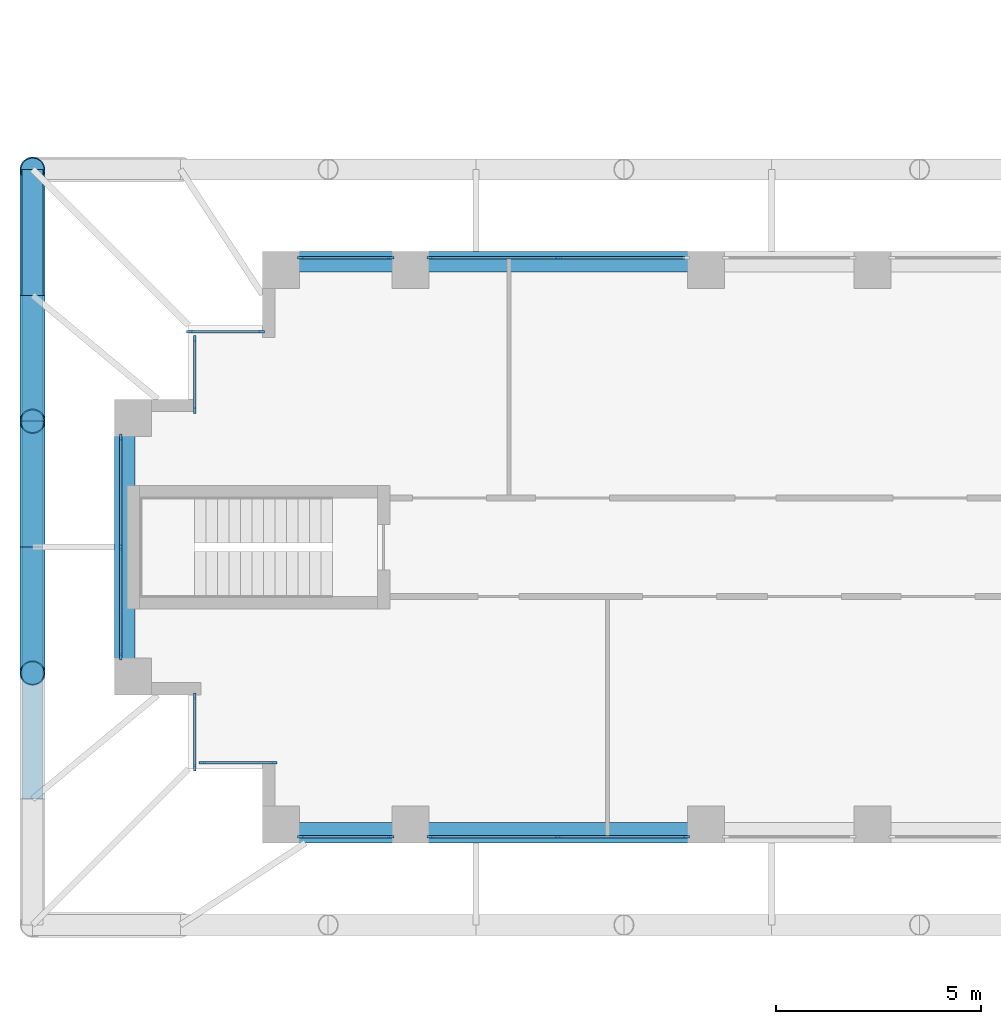
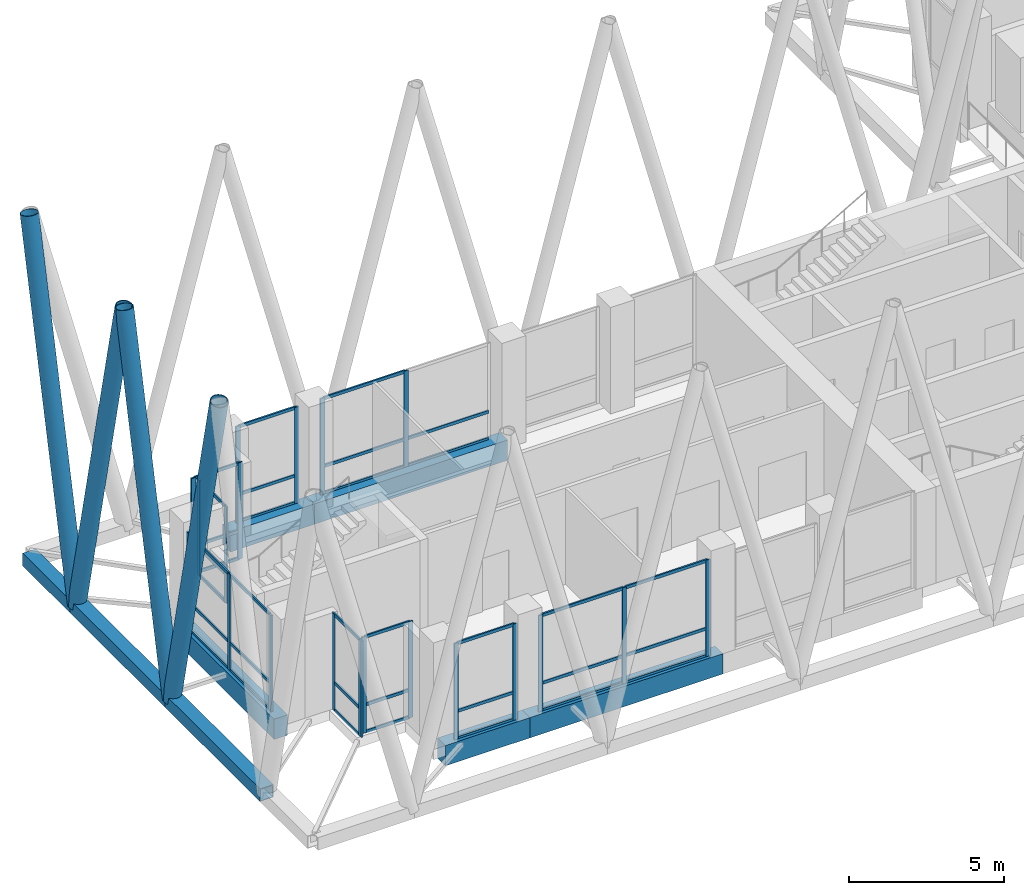
# One storey, part 2 of 19: 62 members, 5 beams, 9 elements without a shape of their own.
"""IFC4 building model written with IfcOpenShell, lengths in metres."""

from ifc_helpers import new_model, si_unit, direction, frame, origin, origin_2d, place, context, subcontext, project, spatial, rectangle, hollow_rectangle, hollow_circle, extrude, material, material_profile, profile_set, type_object, element, aggregate, save


model = new_model("IFC4")

# Units and contexts
model_context = context("Model", 3, precision=1e-05, world=origin(), true_north=direction((0.0, 1.0)))
body_context = subcontext(model_context, "Body", "Model", "MODEL_VIEW")
ifc_project = project(units=[si_unit("LENGTHUNIT", "METRE"), si_unit("AREAUNIT", "SQUARE_METRE"), si_unit("VOLUMEUNIT", "CUBIC_METRE"), si_unit("PLANEANGLEUNIT", "RADIAN"), si_unit("MASSUNIT", "GRAM", prefix="KILO")], contexts=[model_context])

# Site, building, storey
site_placement = place(None, origin())
site = spatial("IfcSite", under=ifc_project, at=site_placement, CompositionType="ELEMENT")
building_placement = place(site_placement, origin())
building = spatial("IfcBuilding", under=site, at=building_placement, Name="Fustian Cross Tower", CompositionType="ELEMENT")
storey_placement = place(building_placement, frame((0.0, 0.0, 166.5)))
storey = spatial("IfcBuildingStorey", under=building, at=storey_placement, Name="L52", CompositionType="ELEMENT", Elevation=166.5)

# Curtain wall, members
ifc_material_1 = material(Name="Dark anodised aluminium and double glazing", Category="aluminium")
curtain_wall_type = type_object("IfcCurtainWallType", Name="CW1 LOUNGE CURTAIN WALL", PredefinedType="NOTDEFINED", material=ifc_material_1)
curtain_wall_1_placement = place(storey_placement, origin())
curtain_wall_1 = element("IfcCurtainWall", 1, at=curtain_wall_1_placement, inside=storey, type_object=curtain_wall_type, Name="Curtain wall", PredefinedType="NOTDEFINED")
ifc_material_2 = material(Name="Aluminium alloy 6063", Category="aluminium")
ifc_material_profile_1 = material_profile(ifc_material_2, rectangle(XDim=0.06005859375, YDim=0.159912109375, at=origin_2d()), Name="CW1 MULLION 60X160")
ifc_profile_set_1 = profile_set([ifc_material_profile_1], Name="Aluminium alloy 6063")
member_type_1 = type_object("IfcMemberType", Name="CW1 MULLION 60X160", PredefinedType="MULLION", material=ifc_profile_set_1)
member_1_placement = place(storey_placement, frame((-32.39990234375, 7.050048828125, 0.0), z_axis=(0.0, 0.0, 1.0), x_axis=(0.0, -1.0, 0.0)))
member_1 = element("IfcMember", 2, at=member_1_placement, type_object=member_type_1, Name="CW1 mullion 2", PredefinedType="MULLION", context=body_context, shape_type="SweptSolid", body=[
    extrude(rectangle(XDim=0.06005859375, YDim=0.159912109375, at=origin_2d()), origin(), (0.0, 0.0, 1.0), 3.800048828125),
])
member_2_placement = place(storey_placement, frame((-35.52001953125, 7.050048828125, 0.0), z_axis=(0.0, 0.0, 1.0), x_axis=(0.0, -1.0, 0.0)))
member_2 = element("IfcMember", 3, at=member_2_placement, type_object=member_type_1, Name="CW1 mullion 3", PredefinedType="MULLION", context=body_context, shape_type="SweptSolid", body=[
    extrude(rectangle(XDim=0.06005859375, YDim=0.159912109375, at=origin_2d()), origin(), (0.0, 0.0, 1.0), 3.800048828125),
])

curtain_wall_2_placement = place(storey_placement, origin())
curtain_wall_2 = element("IfcCurtainWall", 4, at=curtain_wall_2_placement, inside=storey, type_object=curtain_wall_type, Name="Curtain wall", PredefinedType="NOTDEFINED")
member_3_placement = place(storey_placement, frame((-36.47998046875, 7.050048828125, 0.0), z_axis=(0.0, 0.0, 1.0), x_axis=(0.0, -1.0, 0.0)))
member_3 = element("IfcMember", 5, at=member_3_placement, type_object=member_type_1, Name="CW1 mullion 1", PredefinedType="MULLION", context=body_context, shape_type="SweptSolid", body=[
    extrude(rectangle(XDim=0.06005859375, YDim=0.159912109375, at=origin_2d()), origin(), (0.0, 0.0, 1.0), 3.800048828125),
])
member_4_placement = place(storey_placement, frame((-38.669921875, 7.050048828125, 0.0), z_axis=(0.0, 0.0, 1.0), x_axis=(0.0, -1.0, 0.0)))
member_4 = element("IfcMember", 6, at=member_4_placement, type_object=member_type_1, Name="CW1 mullion 2", PredefinedType="MULLION", context=body_context, shape_type="SweptSolid", body=[
    extrude(rectangle(XDim=0.06005859375, YDim=0.159912109375, at=origin_2d()), origin(), (0.0, 0.0, 1.0), 3.800048828125),
])

curtain_wall_3_placement = place(storey_placement, origin())
curtain_wall_3 = element("IfcCurtainWall", 7, at=curtain_wall_3_placement, inside=storey, type_object=curtain_wall_type, Name="Curtain wall", PredefinedType="NOTDEFINED")
member_5_placement = place(storey_placement, frame((-39.6298828125, 5.25, 0.0), z_axis=(0.0, 0.0, 1.0), x_axis=(0.0, -1.0, 0.0)))
member_5 = element("IfcMember", 8, at=member_5_placement, type_object=member_type_1, Name="CW1 mullion 1", PredefinedType="MULLION", context=body_context, shape_type="SweptSolid", body=[
    extrude(rectangle(XDim=0.06005859375, YDim=0.159912109375, at=origin_2d()), origin(), (0.0, 0.0, 1.0), 3.800048828125),
])
member_6_placement = place(storey_placement, frame((-41.3701171875, 5.25, 0.0), z_axis=(0.0, 0.0, 1.0), x_axis=(0.0, -1.0, 0.0)))
member_6 = element("IfcMember", 9, at=member_6_placement, type_object=member_type_1, Name="CW1 mullion 2", PredefinedType="MULLION", context=body_context, shape_type="SweptSolid", body=[
    extrude(rectangle(XDim=0.06005859375, YDim=0.159912109375, at=origin_2d()), origin(), (0.0, 0.0, 1.0), 3.800048828125),
])

curtain_wall_4_placement = place(storey_placement, origin())
curtain_wall_4 = element("IfcCurtainWall", 10, at=curtain_wall_4_placement, inside=storey, type_object=curtain_wall_type, Name="Curtain wall", PredefinedType="NOTDEFINED")
member_7_placement = place(storey_placement, frame((-41.25, 5.070068359375, 0.0), z_axis=(0.0, 0.0, 1.0), x_axis=(1.0, 0.0, 0.0)))
member_7 = element("IfcMember", 11, at=member_7_placement, type_object=member_type_1, Name="CW1 mullion 1", PredefinedType="MULLION", context=body_context, shape_type="SweptSolid", body=[
    extrude(rectangle(XDim=0.06005859375, YDim=0.159912109375, at=origin_2d()), origin(), (0.0, 0.0, 1.0), 3.800048828125),
])
member_8_placement = place(storey_placement, frame((-41.25, 3.330078125, 0.0), z_axis=(0.0, 0.0, 1.0), x_axis=(1.0, 0.0, 0.0)))
member_8 = element("IfcMember", 12, at=member_8_placement, type_object=member_type_1, Name="CW1 mullion 2", PredefinedType="MULLION", context=body_context, shape_type="SweptSolid", body=[
    extrude(rectangle(XDim=0.06005859375, YDim=0.159912109375, at=origin_2d()), origin(), (0.0, 0.0, 1.0), 3.800048828125),
])

curtain_wall_5_placement = place(storey_placement, origin())
curtain_wall_5 = element("IfcCurtainWall", 13, at=curtain_wall_5_placement, inside=storey, type_object=curtain_wall_type, Name="Curtain wall", PredefinedType="NOTDEFINED")
member_9_placement = place(storey_placement, frame((-43.050048828125, 2.669921875, 0.0), z_axis=(0.0, 0.0, 1.0), x_axis=(1.0, 0.0, 0.0)))
member_9 = element("IfcMember", 14, at=member_9_placement, type_object=member_type_1, Name="CW1 mullion 1", PredefinedType="MULLION", context=body_context, shape_type="SweptSolid", body=[
    extrude(rectangle(XDim=0.06005859375, YDim=0.159912109375, at=origin_2d()), origin(), (0.0, 0.0, 1.0), 3.800048828125),
])
member_10_placement = place(storey_placement, frame((-43.050048828125, 0.0, 0.0), z_axis=(0.0, 0.0, 1.0), x_axis=(1.0, 0.0, 0.0)))
member_10 = element("IfcMember", 15, at=member_10_placement, type_object=member_type_1, Name="CW1 mullion 2", PredefinedType="MULLION", context=body_context, shape_type="SweptSolid", body=[
    extrude(rectangle(XDim=0.06005859375, YDim=0.159912109375, at=origin_2d()), origin(), (0.0, 0.0, 1.0), 3.800048828125),
])
member_11_placement = place(storey_placement, frame((-43.050048828125, -2.669921875, 0.0), z_axis=(0.0, 0.0, 1.0), x_axis=(1.0, 0.0, 0.0)))
member_11 = element("IfcMember", 16, at=member_11_placement, type_object=member_type_1, Name="CW1 mullion 3", PredefinedType="MULLION", context=body_context, shape_type="SweptSolid", body=[
    extrude(rectangle(XDim=0.06005859375, YDim=0.159912109375, at=origin_2d()), origin(), (0.0, 0.0, 1.0), 3.800048828125),
])

curtain_wall_6_placement = place(storey_placement, origin())
curtain_wall_6 = element("IfcCurtainWall", 17, at=curtain_wall_6_placement, inside=storey, type_object=curtain_wall_type, Name="Curtain wall", PredefinedType="NOTDEFINED")
member_12_placement = place(storey_placement, frame((-41.25, -3.6298828125, 0.0), z_axis=(0.0, 0.0, 1.0), x_axis=(1.0, 0.0, 0.0)))
member_12 = element("IfcMember", 18, at=member_12_placement, type_object=member_type_1, Name="CW1 mullion 1", PredefinedType="MULLION", context=body_context, shape_type="SweptSolid", body=[
    extrude(rectangle(XDim=0.06005859375, YDim=0.159912109375, at=origin_2d()), origin(), (0.0, 0.0, 1.0), 3.800048828125),
])
member_13_placement = place(storey_placement, frame((-41.25, -5.3701171875, 0.0), z_axis=(0.0, 0.0, 1.0), x_axis=(1.0, 0.0, 0.0)))
member_13 = element("IfcMember", 19, at=member_13_placement, type_object=member_type_1, Name="CW1 mullion 2", PredefinedType="MULLION", context=body_context, shape_type="SweptSolid", body=[
    extrude(rectangle(XDim=0.06005859375, YDim=0.159912109375, at=origin_2d()), origin(), (0.0, 0.0, 1.0), 3.800048828125),
])

curtain_wall_7_placement = place(storey_placement, origin())
curtain_wall_7 = element("IfcCurtainWall", 20, at=curtain_wall_7_placement, inside=storey, type_object=curtain_wall_type, Name="Curtain wall", PredefinedType="NOTDEFINED")
member_14_placement = place(storey_placement, frame((-41.070068359375, -5.25, 0.0), z_axis=(0.0, 0.0, 1.0), x_axis=(0.0, 1.0, 0.0)))
member_14 = element("IfcMember", 21, at=member_14_placement, type_object=member_type_1, Name="CW1 mullion 1", PredefinedType="MULLION", context=body_context, shape_type="SweptSolid", body=[
    extrude(rectangle(XDim=0.06005859375, YDim=0.159912109375, at=origin_2d()), origin(), (0.0, 0.0, 1.0), 3.800048828125),
])
member_15_placement = place(storey_placement, frame((-39.330078125, -5.25, 0.0), z_axis=(0.0, 0.0, 1.0), x_axis=(0.0, 1.0, 0.0)))
member_15 = element("IfcMember", 22, at=member_15_placement, type_object=member_type_1, Name="CW1 mullion 2", PredefinedType="MULLION", context=body_context, shape_type="SweptSolid", body=[
    extrude(rectangle(XDim=0.06005859375, YDim=0.159912109375, at=origin_2d()), origin(), (0.0, 0.0, 1.0), 3.800048828125),
])

curtain_wall_8_placement = place(storey_placement, origin())
curtain_wall_8 = element("IfcCurtainWall", 23, at=curtain_wall_8_placement, inside=storey, type_object=curtain_wall_type, Name="Curtain wall", PredefinedType="NOTDEFINED")
member_16_placement = place(storey_placement, frame((-38.669921875, -7.050048828125, 0.0), z_axis=(0.0, 0.0, 1.0), x_axis=(0.0, 1.0, 0.0)))
member_16 = element("IfcMember", 24, at=member_16_placement, type_object=member_type_1, Name="CW1 mullion 1", PredefinedType="MULLION", context=body_context, shape_type="SweptSolid", body=[
    extrude(rectangle(XDim=0.06005859375, YDim=0.159912109375, at=origin_2d()), origin(), (0.0, 0.0, 1.0), 3.800048828125),
])
member_17_placement = place(storey_placement, frame((-36.47998046875, -7.050048828125, 0.0), z_axis=(0.0, 0.0, 1.0), x_axis=(0.0, 1.0, 0.0)))
member_17 = element("IfcMember", 25, at=member_17_placement, type_object=member_type_1, Name="CW1 mullion 2", PredefinedType="MULLION", context=body_context, shape_type="SweptSolid", body=[
    extrude(rectangle(XDim=0.06005859375, YDim=0.159912109375, at=origin_2d()), origin(), (0.0, 0.0, 1.0), 3.800048828125),
])

curtain_wall_9_placement = place(storey_placement, origin())
curtain_wall_9 = element("IfcCurtainWall", 26, at=curtain_wall_9_placement, inside=storey, type_object=curtain_wall_type, Name="Curtain wall", PredefinedType="NOTDEFINED")
member_18_placement = place(storey_placement, frame((-35.52001953125, -7.050048828125, 0.0), z_axis=(0.0, 0.0, 1.0), x_axis=(0.0, 1.0, 0.0)))
member_18 = element("IfcMember", 27, at=member_18_placement, type_object=member_type_1, Name="CW1 mullion 1", PredefinedType="MULLION", context=body_context, shape_type="SweptSolid", body=[
    extrude(rectangle(XDim=0.06005859375, YDim=0.159912109375, at=origin_2d()), origin(), (0.0, 0.0, 1.0), 3.800048828125),
])
member_19_placement = place(storey_placement, frame((-32.39990234375, -7.050048828125, 0.0), z_axis=(0.0, 0.0, 1.0), x_axis=(0.0, 1.0, 0.0)))
member_19 = element("IfcMember", 28, at=member_19_placement, type_object=member_type_1, Name="CW1 mullion 2", PredefinedType="MULLION", context=body_context, shape_type="SweptSolid", body=[
    extrude(rectangle(XDim=0.06005859375, YDim=0.159912109375, at=origin_2d()), origin(), (0.0, 0.0, 1.0), 3.800048828125),
])
member_20_placement = place(storey_placement, frame((-29.280029296875, -7.050048828125, 0.0), z_axis=(0.0, 0.0, 1.0), x_axis=(0.0, 1.0, 0.0)))
member_20 = element("IfcMember", 29, at=member_20_placement, type_object=member_type_1, Name="CW1 mullion 3", PredefinedType="MULLION", context=body_context, shape_type="SweptSolid", body=[
    extrude(rectangle(XDim=0.06005859375, YDim=0.159912109375, at=origin_2d()), origin(), (0.0, 0.0, 1.0), 3.800048828125),
])

# Member
ifc_material_3 = material(Name="Aluminium alloy 6063", Category="aluminium")
ifc_material_profile_2 = material_profile(ifc_material_3, rectangle(XDim=0.06005859375, YDim=0.1201171875, at=origin_2d()), Name="CW1 TRANSOM 60X120")
ifc_profile_set_2 = profile_set([ifc_material_profile_2], Name="Aluminium alloy 6063")
member_type_2 = type_object("IfcMemberType", Name="CW1 TRANSOM 60X120", PredefinedType="USERDEFINED", material=ifc_profile_set_2)
member_21_placement = place(storey_placement, frame((-29.31005859375, 7.050048828125, 0.030029296875), z_axis=(-1.0, 0.0, 0.0), x_axis=(0.0, -1.0, 0.0)))
member_21 = element("IfcMember", 30, at=member_21_placement, type_object=member_type_2, Name="CW1 transom 1.1", ObjectType="TRANSOM", PredefinedType="USERDEFINED", context=body_context, shape_type="SweptSolid", body=[
    extrude(rectangle(XDim=0.06005859375, YDim=0.1201171875, at=origin_2d()), origin(), (0.0, 0.0, 1.0), 3.06005859375),
])

member_22_placement = place(storey_placement, frame((-29.31005859375, 7.050048828125, 1.10009765625), z_axis=(-1.0, 0.0, 0.0), x_axis=(0.0, -1.0, 0.0)))
member_22 = element("IfcMember", 31, at=member_22_placement, type_object=member_type_2, Name="CW1 transom 1.2", ObjectType="TRANSOM", PredefinedType="USERDEFINED", context=body_context, shape_type="SweptSolid", body=[
    extrude(rectangle(XDim=0.06005859375, YDim=0.1201171875, at=origin_2d()), origin(), (0.0, 0.0, 1.0), 3.06005859375),
])

member_23_placement = place(storey_placement, frame((-32.429931640625, 7.050048828125, 0.030029296875), z_axis=(-1.0, 0.0, 0.0), x_axis=(0.0, -1.0, 0.0)))
member_23 = element("IfcMember", 32, at=member_23_placement, type_object=member_type_2, Name="CW1 transom 2.1", ObjectType="TRANSOM", PredefinedType="USERDEFINED", context=body_context, shape_type="SweptSolid", body=[
    extrude(rectangle(XDim=0.06005859375, YDim=0.1201171875, at=origin_2d()), origin(), (0.0, 0.0, 1.0), 3.06005859375),
])

member_24_placement = place(storey_placement, frame((-32.429931640625, 7.050048828125, 1.10009765625), z_axis=(-1.0, 0.0, 0.0), x_axis=(0.0, -1.0, 0.0)))
member_24 = element("IfcMember", 33, at=member_24_placement, type_object=member_type_2, Name="CW1 transom 2.2", ObjectType="TRANSOM", PredefinedType="USERDEFINED", context=body_context, shape_type="SweptSolid", body=[
    extrude(rectangle(XDim=0.06005859375, YDim=0.1201171875, at=origin_2d()), origin(), (0.0, 0.0, 1.0), 3.06005859375),
])

member_25_placement = place(storey_placement, frame((-32.429931640625, 7.050048828125, 3.77001953125), z_axis=(-1.0, 0.0, 0.0), x_axis=(0.0, -1.0, 0.0)))
member_25 = element("IfcMember", 34, at=member_25_placement, type_object=member_type_2, Name="CW1 transom 2.3", ObjectType="TRANSOM", PredefinedType="USERDEFINED", context=body_context, shape_type="SweptSolid", body=[
    extrude(rectangle(XDim=0.06005859375, YDim=0.1201171875, at=origin_2d()), origin(), (0.0, 0.0, 1.0), 3.06005859375),
])

aggregate(curtain_wall_1, [member_1, member_2, member_21, member_22, member_23, member_24, member_25])

member_26_placement = place(storey_placement, frame((-36.510009765625, 7.050048828125, 0.030029296875), z_axis=(-1.0, 0.0, 0.0), x_axis=(0.0, -1.0, 0.0)))
member_26 = element("IfcMember", 35, at=member_26_placement, type_object=member_type_2, Name="CW1 transom 1.1", ObjectType="TRANSOM", PredefinedType="USERDEFINED", context=body_context, shape_type="SweptSolid", body=[
    extrude(rectangle(XDim=0.06005859375, YDim=0.1201171875, at=origin_2d()), origin(), (0.0, 0.0, 1.0), 2.1298828125),
])

member_27_placement = place(storey_placement, frame((-36.510009765625, 7.050048828125, 1.10009765625), z_axis=(-1.0, 0.0, 0.0), x_axis=(0.0, -1.0, 0.0)))
member_27 = element("IfcMember", 36, at=member_27_placement, type_object=member_type_2, Name="CW1 transom 1.2", ObjectType="TRANSOM", PredefinedType="USERDEFINED", context=body_context, shape_type="SweptSolid", body=[
    extrude(rectangle(XDim=0.06005859375, YDim=0.1201171875, at=origin_2d()), origin(), (0.0, 0.0, 1.0), 2.1298828125),
])

member_28_placement = place(storey_placement, frame((-36.510009765625, 7.050048828125, 3.77001953125), z_axis=(-1.0, 0.0, 0.0), x_axis=(0.0, -1.0, 0.0)))
member_28 = element("IfcMember", 37, at=member_28_placement, type_object=member_type_2, Name="CW1 transom 1.3", ObjectType="TRANSOM", PredefinedType="USERDEFINED", context=body_context, shape_type="SweptSolid", body=[
    extrude(rectangle(XDim=0.06005859375, YDim=0.1201171875, at=origin_2d()), origin(), (0.0, 0.0, 1.0), 2.1298828125),
])

aggregate(curtain_wall_2, [member_3, member_4, member_26, member_27, member_28])

member_29_placement = place(storey_placement, frame((-39.659912109375, 5.25, 0.030029296875), z_axis=(-1.0, 0.0, 0.0), x_axis=(0.0, -1.0, 0.0)))
member_29 = element("IfcMember", 38, at=member_29_placement, type_object=member_type_2, Name="CW1 transom 1.1", ObjectType="TRANSOM", PredefinedType="USERDEFINED", context=body_context, shape_type="SweptSolid", body=[
    extrude(rectangle(XDim=0.06005859375, YDim=0.1201171875, at=origin_2d()), origin(), (0.0, 0.0, 1.0), 1.68017578125),
])

member_30_placement = place(storey_placement, frame((-39.659912109375, 5.25, 1.10009765625), z_axis=(-1.0, 0.0, 0.0), x_axis=(0.0, -1.0, 0.0)))
member_30 = element("IfcMember", 39, at=member_30_placement, type_object=member_type_2, Name="CW1 transom 1.2", ObjectType="TRANSOM", PredefinedType="USERDEFINED", context=body_context, shape_type="SweptSolid", body=[
    extrude(rectangle(XDim=0.06005859375, YDim=0.1201171875, at=origin_2d()), origin(), (0.0, 0.0, 1.0), 1.68017578125),
])

member_31_placement = place(storey_placement, frame((-39.659912109375, 5.25, 3.77001953125), z_axis=(-1.0, 0.0, 0.0), x_axis=(0.0, -1.0, 0.0)))
member_31 = element("IfcMember", 40, at=member_31_placement, type_object=member_type_2, Name="CW1 transom 1.3", ObjectType="TRANSOM", PredefinedType="USERDEFINED", context=body_context, shape_type="SweptSolid", body=[
    extrude(rectangle(XDim=0.06005859375, YDim=0.1201171875, at=origin_2d()), origin(), (0.0, 0.0, 1.0), 1.68017578125),
])

aggregate(curtain_wall_3, [member_5, member_6, member_29, member_30, member_31])

member_32_placement = place(storey_placement, frame((-41.25, 5.0400390625, 0.030029296875), z_axis=(0.0, -1.0, 0.0), x_axis=(1.0, 0.0, 0.0)))
member_32 = element("IfcMember", 41, at=member_32_placement, type_object=member_type_2, Name="CW1 transom 1.1", ObjectType="TRANSOM", PredefinedType="USERDEFINED", context=body_context, shape_type="SweptSolid", body=[
    extrude(rectangle(XDim=0.06005859375, YDim=0.1201171875, at=origin_2d()), origin(), (0.0, 0.0, 1.0), 1.679931640625),
])

member_33_placement = place(storey_placement, frame((-41.25, 5.0400390625, 1.10009765625), z_axis=(0.0, -1.0, 0.0), x_axis=(1.0, 0.0, 0.0)))
member_33 = element("IfcMember", 42, at=member_33_placement, type_object=member_type_2, Name="CW1 transom 1.2", ObjectType="TRANSOM", PredefinedType="USERDEFINED", context=body_context, shape_type="SweptSolid", body=[
    extrude(rectangle(XDim=0.06005859375, YDim=0.1201171875, at=origin_2d()), origin(), (0.0, 0.0, 1.0), 1.679931640625),
])

member_34_placement = place(storey_placement, frame((-41.25, 5.0400390625, 3.77001953125), z_axis=(0.0, -1.0, 0.0), x_axis=(1.0, 0.0, 0.0)))
member_34 = element("IfcMember", 43, at=member_34_placement, type_object=member_type_2, Name="CW1 transom 1.3", ObjectType="TRANSOM", PredefinedType="USERDEFINED", context=body_context, shape_type="SweptSolid", body=[
    extrude(rectangle(XDim=0.06005859375, YDim=0.1201171875, at=origin_2d()), origin(), (0.0, 0.0, 1.0), 1.679931640625),
])

aggregate(curtain_wall_4, [member_7, member_8, member_32, member_33, member_34])

member_35_placement = place(storey_placement, frame((-43.050048828125, 2.639892578125, 0.030029296875), z_axis=(0.0, -1.0, 0.0), x_axis=(1.0, 0.0, 0.0)))
member_35 = element("IfcMember", 44, at=member_35_placement, type_object=member_type_2, Name="CW1 transom 1.1", ObjectType="TRANSOM", PredefinedType="USERDEFINED", context=body_context, shape_type="SweptSolid", body=[
    extrude(rectangle(XDim=0.06005859375, YDim=0.1201171875, at=origin_2d()), origin(), (0.0, 0.0, 1.0), 2.60986328125),
])

member_36_placement = place(storey_placement, frame((-43.050048828125, 2.639892578125, 1.10009765625), z_axis=(0.0, -1.0, 0.0), x_axis=(1.0, 0.0, 0.0)))
member_36 = element("IfcMember", 45, at=member_36_placement, type_object=member_type_2, Name="CW1 transom 1.2", ObjectType="TRANSOM", PredefinedType="USERDEFINED", context=body_context, shape_type="SweptSolid", body=[
    extrude(rectangle(XDim=0.06005859375, YDim=0.1201171875, at=origin_2d()), origin(), (0.0, 0.0, 1.0), 2.60986328125),
])

member_37_placement = place(storey_placement, frame((-43.050048828125, 2.639892578125, 3.77001953125), z_axis=(0.0, -1.0, 0.0), x_axis=(1.0, 0.0, 0.0)))
member_37 = element("IfcMember", 46, at=member_37_placement, type_object=member_type_2, Name="CW1 transom 1.3", ObjectType="TRANSOM", PredefinedType="USERDEFINED", context=body_context, shape_type="SweptSolid", body=[
    extrude(rectangle(XDim=0.06005859375, YDim=0.1201171875, at=origin_2d()), origin(), (0.0, 0.0, 1.0), 2.60986328125),
])

member_38_placement = place(storey_placement, frame((-43.050048828125, -0.030029296875, 0.030029296875), z_axis=(0.0, -1.0, 0.0), x_axis=(1.0, 0.0, 0.0)))
member_38 = element("IfcMember", 47, at=member_38_placement, type_object=member_type_2, Name="CW1 transom 2.1", ObjectType="TRANSOM", PredefinedType="USERDEFINED", context=body_context, shape_type="SweptSolid", body=[
    extrude(rectangle(XDim=0.06005859375, YDim=0.1201171875, at=origin_2d()), origin(), (0.0, 0.0, 1.0), 2.60986328125),
])

member_39_placement = place(storey_placement, frame((-43.050048828125, -0.030029296875, 1.10009765625), z_axis=(0.0, -1.0, 0.0), x_axis=(1.0, 0.0, 0.0)))
member_39 = element("IfcMember", 48, at=member_39_placement, type_object=member_type_2, Name="CW1 transom 2.2", ObjectType="TRANSOM", PredefinedType="USERDEFINED", context=body_context, shape_type="SweptSolid", body=[
    extrude(rectangle(XDim=0.06005859375, YDim=0.1201171875, at=origin_2d()), origin(), (0.0, 0.0, 1.0), 2.60986328125),
])

member_40_placement = place(storey_placement, frame((-43.050048828125, -0.030029296875, 3.77001953125), z_axis=(0.0, -1.0, 0.0), x_axis=(1.0, 0.0, 0.0)))
member_40 = element("IfcMember", 49, at=member_40_placement, type_object=member_type_2, Name="CW1 transom 2.3", ObjectType="TRANSOM", PredefinedType="USERDEFINED", context=body_context, shape_type="SweptSolid", body=[
    extrude(rectangle(XDim=0.06005859375, YDim=0.1201171875, at=origin_2d()), origin(), (0.0, 0.0, 1.0), 2.60986328125),
])

aggregate(curtain_wall_5, [member_9, member_10, member_11, member_35, member_36, member_37, member_38, member_39, member_40])

member_41_placement = place(storey_placement, frame((-41.25, -3.659912109375, 0.030029296875), z_axis=(0.0, -1.0, 0.0), x_axis=(1.0, 0.0, 0.0)))
member_41 = element("IfcMember", 50, at=member_41_placement, type_object=member_type_2, Name="CW1 transom 1.1", ObjectType="TRANSOM", PredefinedType="USERDEFINED", context=body_context, shape_type="SweptSolid", body=[
    extrude(rectangle(XDim=0.06005859375, YDim=0.1201171875, at=origin_2d()), origin(), (0.0, 0.0, 1.0), 1.68017578125),
])

member_42_placement = place(storey_placement, frame((-41.25, -3.659912109375, 1.10009765625), z_axis=(0.0, -1.0, 0.0), x_axis=(1.0, 0.0, 0.0)))
member_42 = element("IfcMember", 51, at=member_42_placement, type_object=member_type_2, Name="CW1 transom 1.2", ObjectType="TRANSOM", PredefinedType="USERDEFINED", context=body_context, shape_type="SweptSolid", body=[
    extrude(rectangle(XDim=0.06005859375, YDim=0.1201171875, at=origin_2d()), origin(), (0.0, 0.0, 1.0), 1.68017578125),
])

member_43_placement = place(storey_placement, frame((-41.25, -3.659912109375, 3.77001953125), z_axis=(0.0, -1.0, 0.0), x_axis=(1.0, 0.0, 0.0)))
member_43 = element("IfcMember", 52, at=member_43_placement, type_object=member_type_2, Name="CW1 transom 1.3", ObjectType="TRANSOM", PredefinedType="USERDEFINED", context=body_context, shape_type="SweptSolid", body=[
    extrude(rectangle(XDim=0.06005859375, YDim=0.1201171875, at=origin_2d()), origin(), (0.0, 0.0, 1.0), 1.68017578125),
])

aggregate(curtain_wall_6, [member_12, member_13, member_41, member_42, member_43])

member_44_placement = place(storey_placement, frame((-41.0400390625, -5.25, 0.030029296875), z_axis=(1.0, 0.0, 0.0), x_axis=(0.0, 1.0, 0.0)))
member_44 = element("IfcMember", 53, at=member_44_placement, type_object=member_type_2, Name="CW1 transom 1.1", ObjectType="TRANSOM", PredefinedType="USERDEFINED", context=body_context, shape_type="SweptSolid", body=[
    extrude(rectangle(XDim=0.06005859375, YDim=0.1201171875, at=origin_2d()), origin(), (0.0, 0.0, 1.0), 1.679931640625),
])

member_45_placement = place(storey_placement, frame((-41.0400390625, -5.25, 1.10009765625), z_axis=(1.0, 0.0, 0.0), x_axis=(0.0, 1.0, 0.0)))
member_45 = element("IfcMember", 54, at=member_45_placement, type_object=member_type_2, Name="CW1 transom 1.2", ObjectType="TRANSOM", PredefinedType="USERDEFINED", context=body_context, shape_type="SweptSolid", body=[
    extrude(rectangle(XDim=0.06005859375, YDim=0.1201171875, at=origin_2d()), origin(), (0.0, 0.0, 1.0), 1.679931640625),
])

member_46_placement = place(storey_placement, frame((-41.0400390625, -5.25, 3.77001953125), z_axis=(1.0, 0.0, 0.0), x_axis=(0.0, 1.0, 0.0)))
member_46 = element("IfcMember", 55, at=member_46_placement, type_object=member_type_2, Name="CW1 transom 1.3", ObjectType="TRANSOM", PredefinedType="USERDEFINED", context=body_context, shape_type="SweptSolid", body=[
    extrude(rectangle(XDim=0.06005859375, YDim=0.1201171875, at=origin_2d()), origin(), (0.0, 0.0, 1.0), 1.679931640625),
])

aggregate(curtain_wall_7, [member_14, member_15, member_44, member_45, member_46])

member_47_placement = place(storey_placement, frame((-38.639892578125, -7.050048828125, 0.030029296875), z_axis=(1.0, 0.0, 0.0), x_axis=(0.0, 1.0, 0.0)))
member_47 = element("IfcMember", 56, at=member_47_placement, type_object=member_type_2, Name="CW1 transom 1.1", ObjectType="TRANSOM", PredefinedType="USERDEFINED", context=body_context, shape_type="SweptSolid", body=[
    extrude(rectangle(XDim=0.06005859375, YDim=0.1201171875, at=origin_2d()), origin(), (0.0, 0.0, 1.0), 2.1298828125),
])

member_48_placement = place(storey_placement, frame((-38.639892578125, -7.050048828125, 1.10009765625), z_axis=(1.0, 0.0, 0.0), x_axis=(0.0, 1.0, 0.0)))
member_48 = element("IfcMember", 57, at=member_48_placement, type_object=member_type_2, Name="CW1 transom 1.2", ObjectType="TRANSOM", PredefinedType="USERDEFINED", context=body_context, shape_type="SweptSolid", body=[
    extrude(rectangle(XDim=0.06005859375, YDim=0.1201171875, at=origin_2d()), origin(), (0.0, 0.0, 1.0), 2.1298828125),
])

member_49_placement = place(storey_placement, frame((-38.639892578125, -7.050048828125, 3.77001953125), z_axis=(1.0, 0.0, 0.0), x_axis=(0.0, 1.0, 0.0)))
member_49 = element("IfcMember", 58, at=member_49_placement, type_object=member_type_2, Name="CW1 transom 1.3", ObjectType="TRANSOM", PredefinedType="USERDEFINED", context=body_context, shape_type="SweptSolid", body=[
    extrude(rectangle(XDim=0.06005859375, YDim=0.1201171875, at=origin_2d()), origin(), (0.0, 0.0, 1.0), 2.1298828125),
])

aggregate(curtain_wall_8, [member_16, member_17, member_47, member_48, member_49])

member_50_placement = place(storey_placement, frame((-35.489990234375, -7.050048828125, 0.030029296875), z_axis=(1.0, 0.0, 0.0), x_axis=(0.0, 1.0, 0.0)))
member_50 = element("IfcMember", 59, at=member_50_placement, type_object=member_type_2, Name="CW1 transom 1.1", ObjectType="TRANSOM", PredefinedType="USERDEFINED", context=body_context, shape_type="SweptSolid", body=[
    extrude(rectangle(XDim=0.06005859375, YDim=0.1201171875, at=origin_2d()), origin(), (0.0, 0.0, 1.0), 3.06005859375),
])

member_51_placement = place(storey_placement, frame((-35.489990234375, -7.050048828125, 1.10009765625), z_axis=(1.0, 0.0, 0.0), x_axis=(0.0, 1.0, 0.0)))
member_51 = element("IfcMember", 60, at=member_51_placement, type_object=member_type_2, Name="CW1 transom 1.2", ObjectType="TRANSOM", PredefinedType="USERDEFINED", context=body_context, shape_type="SweptSolid", body=[
    extrude(rectangle(XDim=0.06005859375, YDim=0.1201171875, at=origin_2d()), origin(), (0.0, 0.0, 1.0), 3.06005859375),
])

member_52_placement = place(storey_placement, frame((-35.489990234375, -7.050048828125, 3.77001953125), z_axis=(1.0, 0.0, 0.0), x_axis=(0.0, 1.0, 0.0)))
member_52 = element("IfcMember", 61, at=member_52_placement, type_object=member_type_2, Name="CW1 transom 1.3", ObjectType="TRANSOM", PredefinedType="USERDEFINED", context=body_context, shape_type="SweptSolid", body=[
    extrude(rectangle(XDim=0.06005859375, YDim=0.1201171875, at=origin_2d()), origin(), (0.0, 0.0, 1.0), 3.06005859375),
])

member_53_placement = place(storey_placement, frame((-32.3701171875, -7.050048828125, 0.030029296875), z_axis=(1.0, 0.0, 0.0), x_axis=(0.0, 1.0, 0.0)))
member_53 = element("IfcMember", 62, at=member_53_placement, type_object=member_type_2, Name="CW1 transom 2.1", ObjectType="TRANSOM", PredefinedType="USERDEFINED", context=body_context, shape_type="SweptSolid", body=[
    extrude(rectangle(XDim=0.06005859375, YDim=0.1201171875, at=origin_2d()), origin(), (0.0, 0.0, 1.0), 3.06005859375),
])

member_54_placement = place(storey_placement, frame((-32.3701171875, -7.050048828125, 1.10009765625), z_axis=(1.0, 0.0, 0.0), x_axis=(0.0, 1.0, 0.0)))
member_54 = element("IfcMember", 63, at=member_54_placement, type_object=member_type_2, Name="CW1 transom 2.2", ObjectType="TRANSOM", PredefinedType="USERDEFINED", context=body_context, shape_type="SweptSolid", body=[
    extrude(rectangle(XDim=0.06005859375, YDim=0.1201171875, at=origin_2d()), origin(), (0.0, 0.0, 1.0), 3.06005859375),
])

member_55_placement = place(storey_placement, frame((-32.3701171875, -7.050048828125, 3.77001953125), z_axis=(1.0, 0.0, 0.0), x_axis=(0.0, 1.0, 0.0)))
member_55 = element("IfcMember", 64, at=member_55_placement, type_object=member_type_2, Name="CW1 transom 2.3", ObjectType="TRANSOM", PredefinedType="USERDEFINED", context=body_context, shape_type="SweptSolid", body=[
    extrude(rectangle(XDim=0.06005859375, YDim=0.1201171875, at=origin_2d()), origin(), (0.0, 0.0, 1.0), 3.06005859375),
])

aggregate(curtain_wall_9, [member_18, member_19, member_20, member_50, member_51, member_52, member_53, member_54, member_55])

# Members
ifc_material_4 = material(Name="Steel S355", Category="steel")
ifc_material_profile_3 = material_profile(ifc_material_4, hollow_circle(Radius=0.3046875, WallThickness=0.02490234375, at=origin_2d()), Name="CHS 610x25")
ifc_profile_set_3 = profile_set([ifc_material_profile_3], Name="Steel S355")
member_type_3 = type_object("IfcMemberType", Name="DIAGRID DIAGONAL CHS 610x25", PredefinedType="BRACE", material=ifc_profile_set_3)
for number, where, z_axis, x_axis, name in (
    (65, (-45.199951171875, 6.13330078125, -0.39990234375), (0.0, 0.219968462848, 0.975506983754), (-1.0, 0.0, 0.0), "Diagrid diagonal W-end 01"),
    (66, (-45.199951171875, 6.13330078125, -0.39990234375), (0.0, -0.219968462848, 0.975506983754), (1.0, 0.0, 0.0), "Diagrid diagonal W-end 02"),
    (67, (-45.199951171875, 0.0, -0.39990234375), (0.0, 0.219968462848, 0.975506983754), (-1.0, 0.0, 0.0), "Diagrid diagonal W-end 03"),
    (68, (-45.199951171875, 0.0, -0.39990234375), (0.0, -0.219968462848, 0.975506983754), (1.0, 0.0, 0.0), "Diagrid diagonal W-end 04"),
):
    element("IfcMember", number, at=place(storey_placement, frame(where, z_axis=z_axis, x_axis=x_axis)), inside=storey, type_object=member_type_3, Name=name, PredefinedType="BRACE", context=body_context, shape_type="SweptSolid", body=[
        extrude(hollow_circle(Radius=0.3046875, WallThickness=0.02490234375, at=origin_2d()), origin(), (0.0, 0.0, 1.0), 13.94140625),
    ])
ifc_material_5 = material(Name="Steel S355", Category="steel")
ifc_material_profile_4 = material_profile(ifc_material_5, hollow_rectangle(XDim=0.5, YDim=0.5, WallThickness=0.02490234375, at=origin_2d()), Name="RHS 500x500x25")
ifc_profile_set_4 = profile_set([ifc_material_profile_4], Name="Steel S355")
member_type_4 = type_object("IfcMemberType", Name="DIAGRID RING RHS 500x500x25", PredefinedType="MEMBER", material=ifc_profile_set_4)
member_56_placement = place(storey_placement, frame((-45.199951171875, 9.199951171875, -0.39990234375), z_axis=(0.0, -1.0, 0.0), x_axis=(1.0, 0.0, 0.0)))
element("IfcMember", 69, at=member_56_placement, inside=storey, type_object=member_type_4, Name="Diagrid ring L52-25 L52-26", PredefinedType="MEMBER", context=body_context, shape_type="SweptSolid", body=[
    extrude(hollow_rectangle(XDim=0.5, YDim=0.5, WallThickness=0.02490234375, at=origin_2d()), origin(), (0.0, 0.0, 1.0), 3.066650390625),
])
for number, where, z_axis, x_axis, name in (
    (70, (-45.199951171875, 6.13330078125, -0.39990234375), (0.0, -1.0, 0.0), (1.0, 0.0, 0.0), "Diagrid ring L52-26 L52-27"),
    (71, (-45.199951171875, 0.0, -0.39990234375), (0.0, -1.0, 0.0), (1.0, 0.0, 0.0), "Diagrid ring L52-27 L52-28"),
):
    element("IfcMember", number, at=place(storey_placement, frame(where, z_axis=z_axis, x_axis=x_axis)), inside=storey, type_object=member_type_4, Name=name, PredefinedType="MEMBER", context=body_context, shape_type="SweptSolid", body=[
        extrude(hollow_rectangle(XDim=0.5, YDim=0.5, WallThickness=0.02490234375, at=origin_2d()), origin(), (0.0, 0.0, 1.0), 6.13330078125),
    ])

# Beams
ifc_material_6 = material(Name="Concrete C50/60", Category="concrete")
ifc_material_profile_5 = material_profile(ifc_material_6, rectangle(XDim=0.5, YDim=0.800048828125, at=origin_2d()), Name="RC 500x800")
ifc_profile_set_5 = profile_set([ifc_material_profile_5], Name="Concrete C50/60")
beam_type = type_object("IfcBeamType", Name="EDGE BEAM RC 500x800 C50/60", PredefinedType="SPANDREL", material=ifc_profile_set_5)
beam_1_placement = place(storey_placement, frame((-28.800048828125, 6.949951171875, -0.39990234375), z_axis=(-1.0, 0.0, 0.0), x_axis=(0.0, -1.0, 0.0)))
element("IfcBeam", 72, at=beam_1_placement, inside=storey, type_object=beam_type, Name="EDGE BEAM L52-14", PredefinedType="SPANDREL", context=body_context, shape_type="SweptSolid", body=[
    extrude(rectangle(XDim=0.5, YDim=0.800048828125, at=origin_2d()), origin(), (0.0, 0.0, 1.0), 7.199951171875),
])
beam_2_placement = place(storey_placement, frame((-36.0, 6.949951171875, -0.39990234375), z_axis=(-1.0, 0.0, 0.0), x_axis=(0.0, -1.0, 0.0)))
element("IfcBeam", 73, at=beam_2_placement, inside=storey, type_object=beam_type, Name="EDGE BEAM L52-15", PredefinedType="SPANDREL", context=body_context, shape_type="SweptSolid", body=[
    extrude(rectangle(XDim=0.5, YDim=0.800048828125, at=origin_2d()), origin(), (0.0, 0.0, 1.0), 3.14990234375),
])
beam_3_placement = place(storey_placement, frame((-42.949951171875, 3.14990234375, -0.39990234375), z_axis=(0.0, -1.0, 0.0), x_axis=(1.0, 0.0, 0.0)))
element("IfcBeam", 74, at=beam_3_placement, inside=storey, type_object=beam_type, Name="EDGE BEAM L52-16", PredefinedType="SPANDREL", context=body_context, shape_type="SweptSolid", body=[
    extrude(rectangle(XDim=0.5, YDim=0.800048828125, at=origin_2d()), origin(), (0.0, 0.0, 1.0), 6.2998046875),
])
beam_4_placement = place(storey_placement, frame((-39.14990234375, -6.949951171875, -0.39990234375), z_axis=(1.0, 0.0, 0.0), x_axis=(0.0, 1.0, 0.0)))
element("IfcBeam", 75, at=beam_4_placement, inside=storey, type_object=beam_type, Name="EDGE BEAM L52-17", PredefinedType="SPANDREL", context=body_context, shape_type="SweptSolid", body=[
    extrude(rectangle(XDim=0.5, YDim=0.800048828125, at=origin_2d()), origin(), (0.0, 0.0, 1.0), 3.14990234375),
])
beam_5_placement = place(storey_placement, frame((-36.0, -6.949951171875, -0.39990234375), z_axis=(1.0, 0.0, 0.0), x_axis=(0.0, 1.0, 0.0)))
element("IfcBeam", 76, at=beam_5_placement, inside=storey, type_object=beam_type, Name="EDGE BEAM L52-18", PredefinedType="SPANDREL", context=body_context, shape_type="SweptSolid", body=[
    extrude(rectangle(XDim=0.5, YDim=0.800048828125, at=origin_2d()), origin(), (0.0, 0.0, 1.0), 7.199951171875),
])

save(model, "model.ifc")
